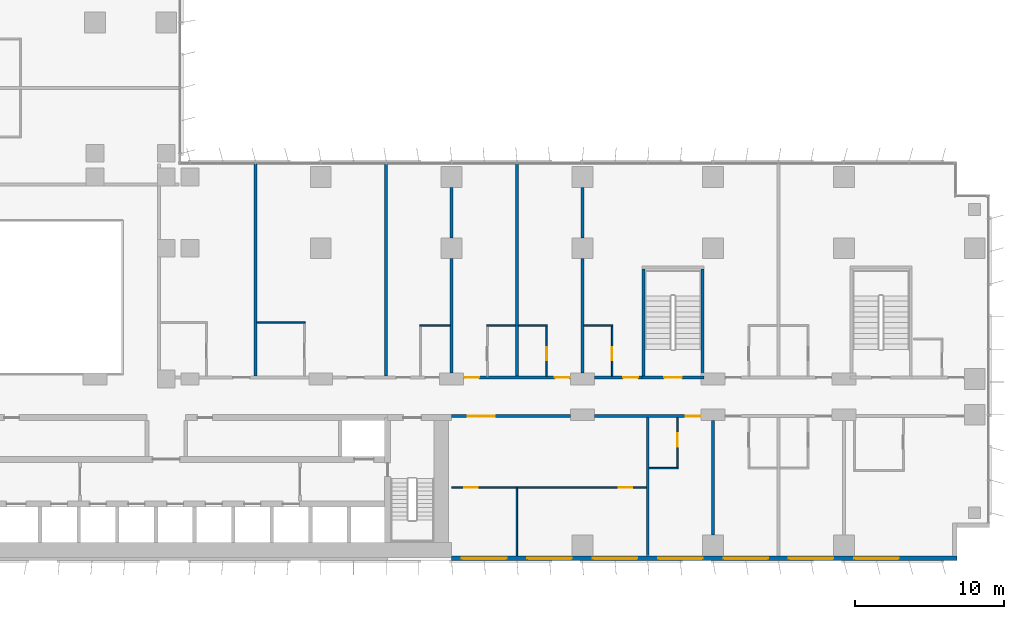
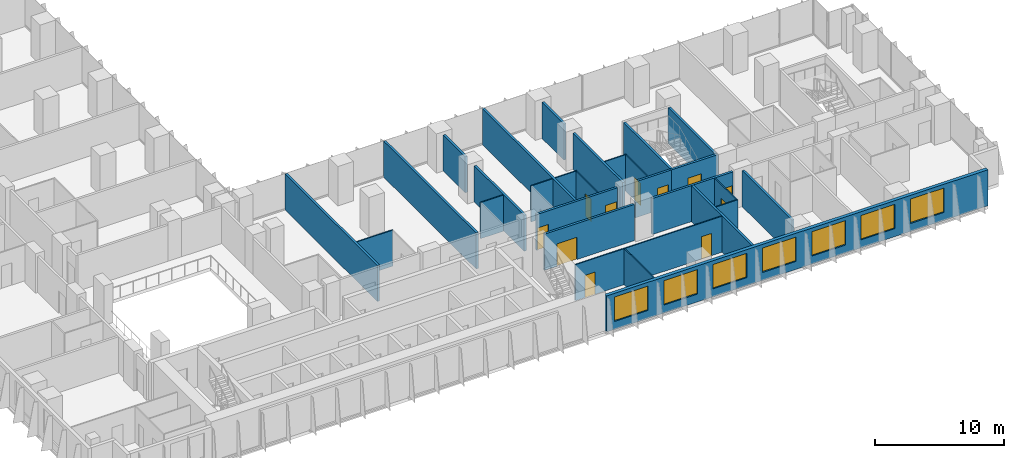
# One storey, part 14 of 24: 28 walls, 11 doors, 7 windows, 18 openings.
"""IFC4 building model written with IfcOpenShell, lengths in metres."""

from ifc_helpers import new_model, si_unit, direction, frame, frame_2d, origin, place, context, subcontext, project, spatial, rectangle, extrude, material, layer, layer_set, type_object, element, fill, save


model = new_model("IFC4")

# Units and contexts
model_context = context("Model", 3, precision=1e-05, world=origin(), true_north=direction((0.0, 1.0)))
body_context = subcontext(model_context, "Body", "Model", "MODEL_VIEW")
ifc_project = project(units=[si_unit("LENGTHUNIT", "METRE"), si_unit("AREAUNIT", "SQUARE_METRE"), si_unit("VOLUMEUNIT", "CUBIC_METRE"), si_unit("PLANEANGLEUNIT", "RADIAN"), si_unit("MASSUNIT", "GRAM", prefix="KILO")], contexts=[model_context])

# Site, building, storey
site_placement = place(None, origin())
site = spatial("IfcSite", under=ifc_project, at=site_placement, CompositionType="ELEMENT")
building_placement = place(site_placement, origin())
building = spatial("IfcBuilding", under=site, at=building_placement, Name="Kemantara Hotel Tower", CompositionType="ELEMENT")
storey_placement = place(building_placement, frame((0.0, 0.0, 52.5)))
storey = spatial("IfcBuildingStorey", under=building, at=storey_placement, Name="L11", CompositionType="ELEMENT", Elevation=52.5)

# Wall, openings, windows
ifc_material_1 = material(Name="Bronze anodised aluminium cladding on insulated steel stud wall", Category="steel")
ifc_layer_1 = layer(ifc_material_1, 0.300048828125)
ifc_layer_set_1 = layer_set([ifc_layer_1], Name="Bronze anodised aluminium cladding on insulated steel stud wall")
wall_type_1 = type_object("IfcWallType", Name="BRONZE METAL-CLAD EXTERNAL WALL 300", PredefinedType="STANDARD", material=ifc_layer_set_1)
wall_1_placement = place(storey_placement, frame((45.0, 0.14990234375, 0.0), z_axis=(0.0, 0.0, 1.0), x_axis=(1.0, 0.0, 0.0)))
wall_1 = element("IfcWall", 1, at=wall_1_placement, inside=storey, type_object=wall_type_1, Name="EXTERNAL WALL L11 T1-R01-3", PredefinedType="STANDARD", context=body_context, shape_type="SweptSolid", body=[
    extrude(rectangle(XDim=34.0, YDim=0.300048828125, at=frame_2d((17.0, 0.0))), origin(), (0.0, 0.0, 1.0), 3.39990234375),
])
opening_1_placement = place(wall_1_placement, frame((0.699951171875, 0.0, 0.75)))
opening_1 = element("IfcOpeningElement", 2, at=opening_1_placement, cuts=wall_1, Name="Opening W1", PredefinedType="OPENING", context=body_context, shape_type="SweptSolid", body=[
    extrude(rectangle(XDim=3.0, YDim=2.300048828125, at=frame_2d((1.5, 1.14990234375))), frame((0.0, 0.159912109375, 0.0), z_axis=(0.0, -1.0, 0.0), x_axis=(1.0, 0.0, 0.0)), (0.0, 0.0, 1.0), 0.320068359375),
])
opening_2_placement = place(wall_1_placement, frame((5.10009765625, 0.0, 0.75)))
opening_2 = element("IfcOpeningElement", 3, at=opening_2_placement, cuts=wall_1, Name="Opening W1", PredefinedType="OPENING", context=body_context, shape_type="SweptSolid", body=[
    extrude(rectangle(XDim=3.0, YDim=2.300048828125, at=frame_2d((1.5, 1.14990234375))), frame((0.0, 0.159912109375, 0.0), z_axis=(0.0, -1.0, 0.0), x_axis=(1.0, 0.0, 0.0)), (0.0, 0.0, 1.0), 0.320068359375),
])
opening_3_placement = place(wall_1_placement, frame((9.5, 0.0, 0.75)))
opening_3 = element("IfcOpeningElement", 4, at=opening_3_placement, cuts=wall_1, Name="Opening W1", PredefinedType="OPENING", context=body_context, shape_type="SweptSolid", body=[
    extrude(rectangle(XDim=3.0, YDim=2.300048828125, at=frame_2d((1.5, 1.14990234375))), frame((0.0, 0.159912109375, 0.0), z_axis=(0.0, -1.0, 0.0), x_axis=(1.0, 0.0, 0.0)), (0.0, 0.0, 1.0), 0.320068359375),
])
opening_4_placement = place(wall_1_placement, frame((13.89990234375, 0.0, 0.75)))
opening_4 = element("IfcOpeningElement", 5, at=opening_4_placement, cuts=wall_1, Name="Opening W1", PredefinedType="OPENING", context=body_context, shape_type="SweptSolid", body=[
    extrude(rectangle(XDim=3.0, YDim=2.300048828125, at=frame_2d((1.5, 1.14990234375))), frame((0.0, 0.159912109375, 0.0), z_axis=(0.0, -1.0, 0.0), x_axis=(1.0, 0.0, 0.0)), (0.0, 0.0, 1.0), 0.320068359375),
])
opening_5_placement = place(wall_1_placement, frame((18.300048828125, 0.0, 0.75)))
opening_5 = element("IfcOpeningElement", 6, at=opening_5_placement, cuts=wall_1, Name="Opening W1", PredefinedType="OPENING", context=body_context, shape_type="SweptSolid", body=[
    extrude(rectangle(XDim=3.0, YDim=2.300048828125, at=frame_2d((1.5, 1.14990234375))), frame((0.0, 0.159912109375, 0.0), z_axis=(0.0, -1.0, 0.0), x_axis=(1.0, 0.0, 0.0)), (0.0, 0.0, 1.0), 0.320068359375),
])
opening_6_placement = place(wall_1_placement, frame((22.699951171875, 0.0, 0.75)))
opening_6 = element("IfcOpeningElement", 7, at=opening_6_placement, cuts=wall_1, Name="Opening W1", PredefinedType="OPENING", context=body_context, shape_type="SweptSolid", body=[
    extrude(rectangle(XDim=3.0, YDim=2.300048828125, at=frame_2d((1.5, 1.14990234375))), frame((0.0, 0.159912109375, 0.0), z_axis=(0.0, -1.0, 0.0), x_axis=(1.0, 0.0, 0.0)), (0.0, 0.0, 1.0), 0.320068359375),
])
opening_7_placement = place(wall_1_placement, frame((27.10009765625, 0.0, 0.75)))
opening_7 = element("IfcOpeningElement", 8, at=opening_7_placement, cuts=wall_1, Name="Opening W1", PredefinedType="OPENING", context=body_context, shape_type="SweptSolid", body=[
    extrude(rectangle(XDim=3.0, YDim=2.300048828125, at=frame_2d((1.5, 1.14990234375))), frame((0.0, 0.159912109375, 0.0), z_axis=(0.0, -1.0, 0.0), x_axis=(1.0, 0.0, 0.0)), (0.0, 0.0, 1.0), 0.320068359375),
])
ifc_material_2 = material(Name="Low-E tinted double insulated glass in bronze anodised aluminium frame", Category="aluminium")
window_type = type_object("IfcWindowType", Name="CHICAGO WINDOW, TRIPLE PANEL 3000x2300", PartitioningType="TRIPLE_PANEL_VERTICAL", PredefinedType="WINDOW", material=ifc_material_2)
window_1_placement = place(opening_1_placement, origin())
window_1 = element("IfcWindow", 9, at=window_1_placement, inside=storey, type_object=window_type, Name="CHICAGO WINDOW L11 T1-R01-450", OverallHeight=2.300048828125, OverallWidth=3.0, PartitioningType="SINGLE_PANEL", PredefinedType="WINDOW", context=body_context, shape_type="SweptSolid", body=[
    extrude(rectangle(XDim=3.0, YDim=2.300048828125, at=frame_2d((1.5, 1.14990234375))), frame((0.0, 0.030029296875, 0.0), z_axis=(0.0, -1.0, 0.0), x_axis=(1.0, 0.0, 0.0)), (0.0, 0.0, 1.0), 0.06005859375),
])
fill(opening_1, window_1)
window_2_placement = place(opening_2_placement, origin())
window_2 = element("IfcWindow", 10, at=window_2_placement, inside=storey, type_object=window_type, Name="CHICAGO WINDOW L11 T1-R01-494", OverallHeight=2.300048828125, OverallWidth=3.0, PartitioningType="SINGLE_PANEL", PredefinedType="WINDOW", context=body_context, shape_type="SweptSolid", body=[
    extrude(rectangle(XDim=3.0, YDim=2.300048828125, at=frame_2d((1.5, 1.14990234375))), frame((0.0, 0.030029296875, 0.0), z_axis=(0.0, -1.0, 0.0), x_axis=(1.0, 0.0, 0.0)), (0.0, 0.0, 1.0), 0.06005859375),
])
fill(opening_2, window_2)
window_3_placement = place(opening_3_placement, origin())
window_3 = element("IfcWindow", 11, at=window_3_placement, inside=storey, type_object=window_type, Name="CHICAGO WINDOW L11 T1-R01-538", OverallHeight=2.300048828125, OverallWidth=3.0, PartitioningType="SINGLE_PANEL", PredefinedType="WINDOW", context=body_context, shape_type="SweptSolid", body=[
    extrude(rectangle(XDim=3.0, YDim=2.300048828125, at=frame_2d((1.5, 1.14990234375))), frame((0.0, 0.030029296875, 0.0), z_axis=(0.0, -1.0, 0.0), x_axis=(1.0, 0.0, 0.0)), (0.0, 0.0, 1.0), 0.06005859375),
])
fill(opening_3, window_3)
window_4_placement = place(opening_4_placement, origin())
window_4 = element("IfcWindow", 12, at=window_4_placement, inside=storey, type_object=window_type, Name="CHICAGO WINDOW L11 T1-R01-582", OverallHeight=2.300048828125, OverallWidth=3.0, PartitioningType="SINGLE_PANEL", PredefinedType="WINDOW", context=body_context, shape_type="SweptSolid", body=[
    extrude(rectangle(XDim=3.0, YDim=2.300048828125, at=frame_2d((1.5, 1.14990234375))), frame((0.0, 0.030029296875, 0.0), z_axis=(0.0, -1.0, 0.0), x_axis=(1.0, 0.0, 0.0)), (0.0, 0.0, 1.0), 0.06005859375),
])
fill(opening_4, window_4)
window_5_placement = place(opening_5_placement, origin())
window_5 = element("IfcWindow", 13, at=window_5_placement, inside=storey, type_object=window_type, Name="CHICAGO WINDOW L11 T1-R01-626", OverallHeight=2.300048828125, OverallWidth=3.0, PartitioningType="SINGLE_PANEL", PredefinedType="WINDOW", context=body_context, shape_type="SweptSolid", body=[
    extrude(rectangle(XDim=3.0, YDim=2.300048828125, at=frame_2d((1.5, 1.14990234375))), frame((0.0, 0.030029296875, 0.0), z_axis=(0.0, -1.0, 0.0), x_axis=(1.0, 0.0, 0.0)), (0.0, 0.0, 1.0), 0.06005859375),
])
fill(opening_5, window_5)
window_6_placement = place(opening_6_placement, origin())
window_6 = element("IfcWindow", 14, at=window_6_placement, inside=storey, type_object=window_type, Name="CHICAGO WINDOW L11 T1-R01-670", OverallHeight=2.300048828125, OverallWidth=3.0, PartitioningType="SINGLE_PANEL", PredefinedType="WINDOW", context=body_context, shape_type="SweptSolid", body=[
    extrude(rectangle(XDim=3.0, YDim=2.300048828125, at=frame_2d((1.5, 1.14990234375))), frame((0.0, 0.030029296875, 0.0), z_axis=(0.0, -1.0, 0.0), x_axis=(1.0, 0.0, 0.0)), (0.0, 0.0, 1.0), 0.06005859375),
])
fill(opening_6, window_6)
window_7_placement = place(opening_7_placement, origin())
window_7 = element("IfcWindow", 15, at=window_7_placement, inside=storey, type_object=window_type, Name="CHICAGO WINDOW L11 T1-R01-714", OverallHeight=2.300048828125, OverallWidth=3.0, PartitioningType="SINGLE_PANEL", PredefinedType="WINDOW", context=body_context, shape_type="SweptSolid", body=[
    extrude(rectangle(XDim=3.0, YDim=2.300048828125, at=frame_2d((1.5, 1.14990234375))), frame((0.0, 0.030029296875, 0.0), z_axis=(0.0, -1.0, 0.0), x_axis=(1.0, 0.0, 0.0)), (0.0, 0.0, 1.0), 0.06005859375),
])
fill(opening_7, window_7)

# Wall, opening, door
ifc_material_3 = material(Name="Gypsum board partition, steel studs and mineral wool, 200 mm", Category="steel")
ifc_layer_2 = layer(ifc_material_3, 0.199951171875)
ifc_layer_set_2 = layer_set([ifc_layer_2], Name="Gypsum board partition, steel studs and mineral wool, 200 mm")
wall_type_2 = type_object("IfcWallType", Name="CORRIDOR WALL 200", PredefinedType="PARTITIONING", material=ifc_layer_set_2)
wall_2_placement = place(storey_placement, frame((53.0, 9.699951171875, 0.0), z_axis=(0.0, 0.0, 1.0), x_axis=(-1.0, 0.0, 0.0)))
wall_2 = element("IfcWall", 16, at=wall_2_placement, inside=storey, type_object=wall_type_2, Name="CORRIDOR WALL 200 001", PredefinedType="PARTITIONING", context=body_context, shape_type="SweptSolid", body=[
    extrude(rectangle(XDim=8.0, YDim=0.199951171875, at=frame_2d((4.0, 0.0))), origin(), (0.0, 0.0, 1.0), 3.39990234375),
])
opening_8_placement = place(wall_2_placement, frame((5.099853515625, 0.0, 0.0)))
opening_8 = element("IfcOpeningElement", 17, at=opening_8_placement, cuts=wall_2, Name="Opening F03-001", PredefinedType="OPENING", context=body_context, shape_type="SweptSolid", body=[
    extrude(rectangle(XDim=1.800048828125, YDim=2.10009765625, at=frame_2d((0.89990234375, 1.050048828125))), frame((0.0, 0.10986328125, 0.0), z_axis=(0.0, -1.0, 0.0), x_axis=(1.0, 0.0, 0.0)), (0.0, 0.0, 1.0), 0.219970703125),
])
ifc_material_4 = material(Name="Hardwood veneer door leaf with steel frame", Category="steel")
door_type_1 = type_object("IfcDoorType", Name="AMENITY ROOM DOOR 1800 X 2100 FD30S", OperationType="NOTDEFINED", PredefinedType="DOOR", material=ifc_material_4)
door_1_placement = place(opening_8_placement, origin())
door_1 = element("IfcDoor", 18, at=door_1_placement, inside=storey, type_object=door_type_1, Name="AMENITY ROOM DOOR F03-001", OperationType="DOUBLE_DOOR_SINGLE_SWING", OverallHeight=2.10009765625, OverallWidth=1.800048828125, PredefinedType="DOOR", context=body_context, shape_type="SweptSolid", body=[
    extrude(rectangle(XDim=1.800048828125, YDim=2.10009765625, at=frame_2d((0.89990234375, 1.050048828125))), frame((0.0, 0.02490234375, 0.0), z_axis=(0.0, -1.0, 0.0), x_axis=(1.0, 0.0, 0.0)), (0.0, 0.0, 1.0), 0.050048828125),
])
fill(opening_8, door_1)

wall_3_placement = place(storey_placement, frame((61.7998046875, 9.699951171875, 0.0), z_axis=(0.0, 0.0, 1.0), x_axis=(-1.0, 0.0, 0.0)))
wall_3 = element("IfcWall", 19, at=wall_3_placement, inside=storey, type_object=wall_type_2, Name="CORRIDOR WALL 200 002", PredefinedType="PARTITIONING", context=body_context, shape_type="SweptSolid", body=[
    extrude(rectangle(XDim=7.19970703125, YDim=0.199951171875, at=frame_2d((3.599853515625, 0.0))), origin(), (0.0, 0.0, 1.0), 3.39990234375),
])
opening_9_placement = place(wall_3_placement, frame((0.0498046875, 0.0, 0.0)))
opening_9 = element("IfcOpeningElement", 20, at=opening_9_placement, cuts=wall_3, Name="Opening F03-004", PredefinedType="OPENING", context=body_context, shape_type="SweptSolid", body=[
    extrude(rectangle(XDim=1.0, YDim=2.10009765625, at=frame_2d((0.5, 1.050048828125))), frame((0.0, 0.10986328125, 0.0), z_axis=(0.0, -1.0, 0.0), x_axis=(1.0, 0.0, 0.0)), (0.0, 0.0, 1.0), 0.219970703125),
])
door_type_2 = type_object("IfcDoorType", Name="GUEST ROOM DOOR 1000 X 2100 FD30S", OperationType="NOTDEFINED", PredefinedType="DOOR", material=ifc_material_4)
door_2_placement = place(opening_9_placement, origin())
door_2 = element("IfcDoor", 21, at=door_2_placement, inside=storey, type_object=door_type_2, Name="GUEST ROOM DOOR F03-004", OperationType="SINGLE_SWING_LEFT", OverallHeight=2.10009765625, OverallWidth=1.0, PredefinedType="DOOR", context=body_context, shape_type="SweptSolid", body=[
    extrude(rectangle(XDim=1.0, YDim=2.10009765625, at=frame_2d((0.5, 1.050048828125))), frame((0.0, 0.02490234375, 0.0), z_axis=(0.0, -1.0, 0.0), x_axis=(1.0, 0.0, 0.0)), (0.0, 0.0, 1.0), 0.050048828125),
])
fill(opening_9, door_2)

# Wall, openings, doors
wall_4_placement = place(storey_placement, frame((45.800048828125, 12.300048828125, 0.0), z_axis=(0.0, 0.0, 1.0), x_axis=(1.0, 0.0, 0.0)))
wall_4 = element("IfcWall", 22, at=wall_4_placement, inside=storey, type_object=wall_type_2, Name="CORRIDOR WALL 200 013", PredefinedType="PARTITIONING", context=body_context, shape_type="SweptSolid", body=[
    extrude(rectangle(XDim=7.199951171875, YDim=0.199951171875, at=frame_2d((3.60009765625, 0.0))), origin(), (0.0, 0.0, 1.0), 3.39990234375),
])
opening_10_placement = place(wall_4_placement, frame((0.0498046875, 0.0, 0.0)))
opening_10 = element("IfcOpeningElement", 23, at=opening_10_placement, cuts=wall_4, Name="Opening F03-018", PredefinedType="OPENING", context=body_context, shape_type="SweptSolid", body=[
    extrude(rectangle(XDim=1.0, YDim=2.10009765625, at=frame_2d((0.5, 1.050048828125))), frame((0.0, 0.10986328125, 0.0), z_axis=(0.0, -1.0, 0.0), x_axis=(1.0, 0.0, 0.0)), (0.0, 0.0, 1.0), 0.219970703125),
])
opening_11_placement = place(wall_4_placement, frame((6.14990234375, 0.0, 0.0)))
opening_11 = element("IfcOpeningElement", 24, at=opening_11_placement, cuts=wall_4, Name="Opening F03-020", PredefinedType="OPENING", context=body_context, shape_type="SweptSolid", body=[
    extrude(rectangle(XDim=1.0, YDim=2.10009765625, at=frame_2d((0.5, 1.050048828125))), frame((0.0, 0.10986328125, 0.0), z_axis=(0.0, -1.0, 0.0), x_axis=(1.0, 0.0, 0.0)), (0.0, 0.0, 1.0), 0.219970703125),
])
door_3_placement = place(opening_10_placement, origin())
door_3 = element("IfcDoor", 25, at=door_3_placement, inside=storey, type_object=door_type_2, Name="GUEST ROOM DOOR F03-018", OperationType="SINGLE_SWING_LEFT", OverallHeight=2.10009765625, OverallWidth=1.0, PredefinedType="DOOR", context=body_context, shape_type="SweptSolid", body=[
    extrude(rectangle(XDim=1.0, YDim=2.10009765625, at=frame_2d((0.5, 1.050048828125))), frame((0.0, 0.02490234375, 0.0), z_axis=(0.0, -1.0, 0.0), x_axis=(1.0, 0.0, 0.0)), (0.0, 0.0, 1.0), 0.050048828125),
])
fill(opening_10, door_3)
door_4_placement = place(opening_11_placement, origin())
door_4 = element("IfcDoor", 26, at=door_4_placement, inside=storey, type_object=door_type_2, Name="GUEST ROOM DOOR F03-020", OperationType="SINGLE_SWING_RIGHT", OverallHeight=2.10009765625, OverallWidth=1.0, PredefinedType="DOOR", context=body_context, shape_type="SweptSolid", body=[
    extrude(rectangle(XDim=1.0, YDim=2.10009765625, at=frame_2d((0.5, 1.050048828125))), frame((0.0, 0.02490234375, 0.0), z_axis=(0.0, -1.0, 0.0), x_axis=(1.0, 0.0, 0.0)), (0.0, 0.0, 1.0), 0.050048828125),
])
fill(opening_11, door_4)

# Wall, opening, door
wall_5_placement = place(storey_placement, frame((54.60009765625, 12.300048828125, 0.0), z_axis=(0.0, 0.0, 1.0), x_axis=(1.0, 0.0, 0.0)))
wall_5 = element("IfcWall", 27, at=wall_5_placement, inside=storey, type_object=wall_type_2, Name="CORRIDOR WALL 200 014", PredefinedType="PARTITIONING", context=body_context, shape_type="SweptSolid", body=[
    extrude(rectangle(XDim=3.199951171875, YDim=0.199951171875, at=frame_2d((1.60009765625, 0.0))), origin(), (0.0, 0.0, 1.0), 3.39990234375),
])
opening_12_placement = place(wall_5_placement, frame((1.949951171875, 0.0, 0.0)))
opening_12 = element("IfcOpeningElement", 28, at=opening_12_placement, cuts=wall_5, Name="Opening F03-022", PredefinedType="OPENING", context=body_context, shape_type="SweptSolid", body=[
    extrude(rectangle(XDim=1.0, YDim=2.10009765625, at=frame_2d((0.5, 1.050048828125))), frame((0.0, 0.10986328125, 0.0), z_axis=(0.0, -1.0, 0.0), x_axis=(1.0, 0.0, 0.0)), (0.0, 0.0, 1.0), 0.219970703125),
])
door_5_placement = place(opening_12_placement, origin())
door_5 = element("IfcDoor", 29, at=door_5_placement, inside=storey, type_object=door_type_2, Name="GUEST ROOM DOOR F03-022", OperationType="SINGLE_SWING_RIGHT", OverallHeight=2.10009765625, OverallWidth=1.0, PredefinedType="DOOR", context=body_context, shape_type="SweptSolid", body=[
    extrude(rectangle(XDim=1.0, YDim=2.10009765625, at=frame_2d((0.5, 1.050048828125))), frame((0.0, 0.02490234375, 0.0), z_axis=(0.0, -1.0, 0.0), x_axis=(1.0, 0.0, 0.0)), (0.0, 0.0, 1.0), 0.050048828125),
])
fill(opening_12, door_5)

ifc_material_5 = material(Name="Concrete fc 40 MPa", Category="concrete")
ifc_layer_3 = layer(ifc_material_5, 0.199951171875)
ifc_layer_set_3 = layer_set([ifc_layer_3], Name="Concrete fc 40 MPa")
wall_type_3 = type_object("IfcWallType", Name="Concrete stair wall 200 mm", PredefinedType="SHEAR", material=ifc_layer_set_3)
wall_6_placement = place(storey_placement, frame((57.800048828125, 12.300048828125, 0.0), z_axis=(0.0, 0.0, 1.0), x_axis=(1.0, 0.0, 0.0)))
wall_6 = element("IfcWall", 30, at=wall_6_placement, inside=storey, type_object=wall_type_3, Name="Stair ST3 enclosure wall with door", PredefinedType="SHEAR", context=body_context, shape_type="SweptSolid", body=[
    extrude(rectangle(XDim=4.199951171875, YDim=0.199951171875, at=frame_2d((2.10009765625, 0.0))), origin(), (0.0, 0.0, 1.0), 3.39990234375),
])
opening_13_placement = place(wall_6_placement, frame((1.5, 0.0, 0.0)))
opening_13 = element("IfcOpeningElement", 31, at=opening_13_placement, cuts=wall_6, Name="Opening ST3-C", PredefinedType="OPENING", context=body_context, shape_type="SweptSolid", body=[
    extrude(rectangle(XDim=1.199951171875, YDim=2.10009765625, at=frame_2d((0.60009765625, 1.050048828125))), frame((0.0, 0.10986328125, 0.0), z_axis=(0.0, -1.0, 0.0), x_axis=(1.0, 0.0, 0.0)), (0.0, 0.0, 1.0), 0.219970703125),
])
ifc_material_6 = material(Name="Steel fire door", Category="steel")
door_type_3 = type_object("IfcDoorType", Name="Fire door FD90 1200 x 2100", OperationType="NOTDEFINED", PredefinedType="DOOR", material=ifc_material_6)
door_6_placement = place(opening_13_placement, origin())
door_6 = element("IfcDoor", 32, at=door_6_placement, inside=storey, type_object=door_type_3, Name="Stair ST3 door", OperationType="SINGLE_SWING_RIGHT", OverallHeight=2.10009765625, OverallWidth=1.199951171875, PredefinedType="DOOR", context=body_context, shape_type="SweptSolid", body=[
    extrude(rectangle(XDim=1.199951171875, YDim=2.10009765625, at=frame_2d((0.60009765625, 1.050048828125))), frame((0.0, 0.02490234375, 0.0), z_axis=(0.0, -1.0, 0.0), x_axis=(1.0, 0.0, 0.0)), (0.0, 0.0, 1.0), 0.050048828125),
])
fill(opening_13, door_6)

# Walls
for number, where, z_axis, x_axis, name in (
    (33, (57.89990234375, 12.39990234375, 0.0), (0.0, 0.0, 1.0), (0.0, 1.0, 0.0), "Stair ST3 enclosure wall W"),
    (34, (61.89990234375, 12.39990234375, 0.0), (0.0, 0.0, 1.0), (0.0, 1.0, 0.0), "Stair ST3 enclosure wall E"),
):
    element("IfcWall", number, at=place(storey_placement, frame(where, z_axis=z_axis, x_axis=x_axis)), inside=storey, type_object=wall_type_3, Name=name, PredefinedType="SHEAR", context=body_context, shape_type="SweptSolid", body=[
        extrude(rectangle(XDim=7.2001953125, YDim=0.199951171875, at=frame_2d((3.60009765625, 0.0))), origin(), (0.0, 0.0, 1.0), 3.39990234375),
    ])
ifc_layer_4 = layer(ifc_material_3, 0.199951171875)
ifc_layer_set_4 = layer_set([ifc_layer_4], Name="Gypsum board partition, steel studs and mineral wool, 200 mm")
wall_type_4 = type_object("IfcWallType", Name="GUEST ROOM PARTY WALL 200", PredefinedType="PARTITIONING", material=ifc_layer_set_4)
wall_7_placement = place(storey_placement, frame((58.199951171875, 0.31005859375, 0.0), z_axis=(0.0, 0.0, 1.0), x_axis=(0.0, 1.0, 0.0)))
element("IfcWall", 35, at=wall_7_placement, inside=storey, type_object=wall_type_4, Name="GUEST ROOM PARTY WALL 200 005", PredefinedType="PARTITIONING", context=body_context, shape_type="SweptSolid", body=[
    extrude(rectangle(XDim=9.2900390625, YDim=0.199951171875, at=frame_2d((4.64501953125, 0.0))), origin(), (0.0, 0.0, 1.0), 3.39990234375),
])
wall_8_placement = place(storey_placement, frame((62.60009765625, 1.7001953125, 0.0), z_axis=(0.0, 0.0, 1.0), x_axis=(0.0, 1.0, 0.0)))
element("IfcWall", 36, at=wall_8_placement, inside=storey, type_object=wall_type_4, Name="GUEST ROOM PARTY WALL 200 006", PredefinedType="PARTITIONING", context=body_context, shape_type="SweptSolid", body=[
    extrude(rectangle(XDim=7.69970703125, YDim=0.199951171875, at=frame_2d((3.849853515625, 0.0))), origin(), (0.0, 0.0, 1.0), 3.39990234375),
])
for number, where, z_axis, x_axis, name in (
    (37, (31.800048828125, 12.39990234375, 0.0), (0.0, 0.0, 1.0), (0.0, 1.0, 0.0), "GUEST ROOM PARTY WALL 200 020"),
    (38, (40.60009765625, 12.39990234375, 0.0), (0.0, 0.0, 1.0), (0.0, 1.0, 0.0), "GUEST ROOM PARTY WALL 200 021"),
):
    element("IfcWall", number, at=place(storey_placement, frame(where, z_axis=z_axis, x_axis=x_axis)), inside=storey, type_object=wall_type_4, Name=name, PredefinedType="PARTITIONING", context=body_context, shape_type="SweptSolid", body=[
        extrude(rectangle(XDim=14.27001953125, YDim=0.199951171875, at=frame_2d((7.135009765625, 0.0))), origin(), (0.0, 0.0, 1.0), 3.39990234375),
    ])
wall_9_placement = place(storey_placement, frame((45.0, 12.60009765625, 0.0), z_axis=(0.0, 0.0, 1.0), x_axis=(0.0, 1.0, 0.0)))
element("IfcWall", 39, at=wall_9_placement, inside=storey, type_object=wall_type_4, Name="GUEST ROOM PARTY WALL 200 022", PredefinedType="PARTITIONING", context=body_context, shape_type="SweptSolid", body=[
    extrude(rectangle(XDim=7.69970703125, YDim=0.199951171875, at=frame_2d((3.849853515625, 0.0))), origin(), (0.0, 0.0, 1.0), 3.39990234375),
])
wall_10_placement = place(storey_placement, frame((45.0, 21.7001953125, 0.0), z_axis=(0.0, 0.0, 1.0), x_axis=(0.0, 1.0, 0.0)))
element("IfcWall", 40, at=wall_10_placement, inside=storey, type_object=wall_type_4, Name="GUEST ROOM PARTY WALL 200 023", PredefinedType="PARTITIONING", context=body_context, shape_type="SweptSolid", body=[
    extrude(rectangle(XDim=3.399658203125, YDim=0.199951171875, at=frame_2d((1.69970703125, 0.0))), origin(), (0.0, 0.0, 1.0), 3.39990234375),
])
wall_11_placement = place(storey_placement, frame((49.39990234375, 12.39990234375, 0.0), z_axis=(0.0, 0.0, 1.0), x_axis=(0.0, 1.0, 0.0)))
element("IfcWall", 41, at=wall_11_placement, inside=storey, type_object=wall_type_4, Name="GUEST ROOM PARTY WALL 200 024", PredefinedType="PARTITIONING", context=body_context, shape_type="SweptSolid", body=[
    extrude(rectangle(XDim=14.27001953125, YDim=0.199951171875, at=frame_2d((7.135009765625, 0.0))), origin(), (0.0, 0.0, 1.0), 3.39990234375),
])
wall_12_placement = place(storey_placement, frame((53.800048828125, 12.60009765625, 0.0), z_axis=(0.0, 0.0, 1.0), x_axis=(0.0, 1.0, 0.0)))
element("IfcWall", 42, at=wall_12_placement, inside=storey, type_object=wall_type_4, Name="GUEST ROOM PARTY WALL 200 025", PredefinedType="PARTITIONING", context=body_context, shape_type="SweptSolid", body=[
    extrude(rectangle(XDim=7.69970703125, YDim=0.199951171875, at=frame_2d((3.849853515625, 0.0))), origin(), (0.0, 0.0, 1.0), 3.39990234375),
])
wall_13_placement = place(storey_placement, frame((53.800048828125, 21.7001953125, 0.0), z_axis=(0.0, 0.0, 1.0), x_axis=(0.0, 1.0, 0.0)))
element("IfcWall", 43, at=wall_13_placement, inside=storey, type_object=wall_type_4, Name="GUEST ROOM PARTY WALL 200 026", PredefinedType="PARTITIONING", context=body_context, shape_type="SweptSolid", body=[
    extrude(rectangle(XDim=3.399658203125, YDim=0.199951171875, at=frame_2d((1.69970703125, 0.0))), origin(), (0.0, 0.0, 1.0), 3.39990234375),
])

# Wall, openings, doors
ifc_material_7 = material(Name="Gypsum board partition on steel studs, 100 mm", Category="steel")
ifc_layer_5 = layer(ifc_material_7, 0.10009765625)
ifc_layer_set_5 = layer_set([ifc_layer_5], Name="Gypsum board partition on steel studs, 100 mm")
wall_type_5 = type_object("IfcWallType", Name="ROOM PARTITION 100", PredefinedType="PARTITIONING", material=ifc_layer_set_5)
wall_14_placement = place(storey_placement, frame((58.10009765625, 4.89990234375, 0.0), z_axis=(0.0, 0.0, 1.0), x_axis=(-1.0, 0.0, 0.0)))
wall_14 = element("IfcWall", 44, at=wall_14_placement, inside=storey, type_object=wall_type_5, Name="ROOM PARTITION 100 062", PredefinedType="PARTITIONING", context=body_context, shape_type="SweptSolid", body=[
    extrude(rectangle(XDim=13.10009765625, YDim=0.10009765625, at=frame_2d((6.550048828125, 0.0))), origin(), (0.0, 0.0, 1.0), 3.39990234375),
])
opening_14_placement = place(wall_14_placement, frame((11.35009765625, 0.0, 0.0)))
opening_14 = element("IfcOpeningElement", 45, at=opening_14_placement, cuts=wall_14, Name="Opening F03-002", PredefinedType="OPENING", context=body_context, shape_type="SweptSolid", body=[
    extrude(rectangle(XDim=0.89990234375, YDim=2.10009765625, at=frame_2d((0.449951171875, 1.050048828125))), frame((0.0, 0.06005859375, 0.0), z_axis=(0.0, -1.0, 0.0), x_axis=(1.0, 0.0, 0.0)), (0.0, 0.0, 1.0), 0.1201171875),
])
opening_15_placement = place(wall_14_placement, frame((0.949951171875, 0.0, 0.0)))
opening_15 = element("IfcOpeningElement", 46, at=opening_15_placement, cuts=wall_14, Name="Opening F03-003", PredefinedType="OPENING", context=body_context, shape_type="SweptSolid", body=[
    extrude(rectangle(XDim=0.89990234375, YDim=2.10009765625, at=frame_2d((0.449951171875, 1.050048828125))), frame((0.0, 0.06005859375, 0.0), z_axis=(0.0, -1.0, 0.0), x_axis=(1.0, 0.0, 0.0)), (0.0, 0.0, 1.0), 0.1201171875),
])
door_type_4 = type_object("IfcDoorType", Name="INTERNAL DOOR 900 X 2100", OperationType="NOTDEFINED", PredefinedType="DOOR", material=ifc_material_4)
door_7_placement = place(opening_14_placement, origin())
door_7 = element("IfcDoor", 47, at=door_7_placement, inside=storey, type_object=door_type_4, Name="INTERNAL DOOR F03-002", OperationType="SINGLE_SWING_RIGHT", OverallHeight=2.10009765625, OverallWidth=0.89990234375, PredefinedType="DOOR", context=body_context, shape_type="SweptSolid", body=[
    extrude(rectangle(XDim=0.89990234375, YDim=2.10009765625, at=frame_2d((0.449951171875, 1.050048828125))), frame((0.0, 0.02490234375, 0.0), z_axis=(0.0, -1.0, 0.0), x_axis=(1.0, 0.0, 0.0)), (0.0, 0.0, 1.0), 0.050048828125),
])
fill(opening_14, door_7)
door_8_placement = place(opening_15_placement, origin())
door_8 = element("IfcDoor", 48, at=door_8_placement, inside=storey, type_object=door_type_4, Name="INTERNAL DOOR F03-003", OperationType="SINGLE_SWING_LEFT", OverallHeight=2.10009765625, OverallWidth=0.89990234375, PredefinedType="DOOR", context=body_context, shape_type="SweptSolid", body=[
    extrude(rectangle(XDim=0.89990234375, YDim=2.10009765625, at=frame_2d((0.449951171875, 1.050048828125))), frame((0.0, 0.02490234375, 0.0), z_axis=(0.0, -1.0, 0.0), x_axis=(1.0, 0.0, 0.0)), (0.0, 0.0, 1.0), 0.050048828125),
])
fill(opening_15, door_8)

# Walls
wall_15_placement = place(storey_placement, frame((49.39990234375, 0.31005859375, 0.0), z_axis=(0.0, 0.0, 1.0), x_axis=(0.0, 1.0, 0.0)))
element("IfcWall", 49, at=wall_15_placement, inside=storey, type_object=wall_type_5, Name="ROOM PARTITION 100 063", PredefinedType="PARTITIONING", context=body_context, shape_type="SweptSolid", body=[
    extrude(rectangle(XDim=4.5400390625, YDim=0.10009765625, at=frame_2d((2.27001953125, 0.0))), origin(), (0.0, 0.0, 1.0), 3.39990234375),
])
wall_16_placement = place(storey_placement, frame((58.300048828125, 6.199951171875, 0.0), z_axis=(0.0, 0.0, 1.0), x_axis=(1.0, 0.0, 0.0)))
element("IfcWall", 50, at=wall_16_placement, inside=storey, type_object=wall_type_5, Name="ROOM PARTITION 100 064", PredefinedType="PARTITIONING", context=body_context, shape_type="SweptSolid", body=[
    extrude(rectangle(XDim=1.949951171875, YDim=0.10009765625, at=frame_2d((0.97509765625, 0.0))), origin(), (0.0, 0.0, 1.0), 3.39990234375),
])

# Wall, opening, door
wall_17_placement = place(storey_placement, frame((60.199951171875, 6.25, 0.0), z_axis=(0.0, 0.0, 1.0), x_axis=(0.0, 1.0, 0.0)))
wall_17 = element("IfcWall", 51, at=wall_17_placement, inside=storey, type_object=wall_type_5, Name="ROOM PARTITION 100 067", PredefinedType="PARTITIONING", context=body_context, shape_type="SweptSolid", body=[
    extrude(rectangle(XDim=3.35009765625, YDim=0.10009765625, at=frame_2d((1.675048828125, 0.0))), origin(), (0.0, 0.0, 1.0), 3.39990234375),
])
opening_16_placement = place(wall_17_placement, frame((1.39990234375, 0.0, 0.0)))
opening_16 = element("IfcOpeningElement", 52, at=opening_16_placement, cuts=wall_17, Name="Opening F03-005", PredefinedType="OPENING", context=body_context, shape_type="SweptSolid", body=[
    extrude(rectangle(XDim=0.89990234375, YDim=2.10009765625, at=frame_2d((0.449951171875, 1.050048828125))), frame((0.0, 0.06005859375, 0.0), z_axis=(0.0, -1.0, 0.0), x_axis=(1.0, 0.0, 0.0)), (0.0, 0.0, 1.0), 0.1201171875),
])
door_type_5 = type_object("IfcDoorType", Name="BATHROOM DOOR 900 X 2100", OperationType="NOTDEFINED", PredefinedType="DOOR", material=ifc_material_4)
door_9_placement = place(opening_16_placement, origin())
door_9 = element("IfcDoor", 53, at=door_9_placement, inside=storey, type_object=door_type_5, Name="BATHROOM DOOR F03-005", OperationType="SINGLE_SWING_RIGHT", OverallHeight=2.10009765625, OverallWidth=0.89990234375, PredefinedType="DOOR", context=body_context, shape_type="SweptSolid", body=[
    extrude(rectangle(XDim=0.89990234375, YDim=2.10009765625, at=frame_2d((0.449951171875, 1.050048828125))), frame((0.0, 0.02490234375, 0.0), z_axis=(0.0, -1.0, 0.0), x_axis=(1.0, 0.0, 0.0)), (0.0, 0.0, 1.0), 0.050048828125),
])
fill(opening_16, door_9)

# Walls
wall_18_placement = place(storey_placement, frame((31.89990234375, 16.0, 0.0), z_axis=(0.0, 0.0, 1.0), x_axis=(1.0, 0.0, 0.0)))
element("IfcWall", 54, at=wall_18_placement, inside=storey, type_object=wall_type_5, Name="ROOM PARTITION 100 076", PredefinedType="PARTITIONING", context=body_context, shape_type="SweptSolid", body=[
    extrude(rectangle(XDim=3.25, YDim=0.10009765625, at=frame_2d((1.625, 0.0))), origin(), (0.0, 0.0, 1.0), 3.39990234375),
])
wall_19_placement = place(storey_placement, frame((42.85009765625, 15.800048828125, 0.0), z_axis=(0.0, 0.0, 1.0), x_axis=(1.0, 0.0, 0.0)))
element("IfcWall", 55, at=wall_19_placement, inside=storey, type_object=wall_type_5, Name="ROOM PARTITION 100 079", PredefinedType="PARTITIONING", context=body_context, shape_type="SweptSolid", body=[
    extrude(rectangle(XDim=2.0498046875, YDim=0.10009765625, at=frame_2d((1.02490234375, 0.0))), origin(), (0.0, 0.0, 1.0), 3.39990234375),
])
for number, where, z_axis, x_axis, name in (
    (56, (47.35009765625, 15.800048828125, 0.0), (0.0, 0.0, 1.0), (1.0, 0.0, 0.0), "ROOM PARTITION 100 080"),
    (57, (49.5, 15.800048828125, 0.0), (0.0, 0.0, 1.0), (1.0, 0.0, 0.0), "ROOM PARTITION 100 081"),
):
    element("IfcWall", number, at=place(storey_placement, frame(where, z_axis=z_axis, x_axis=x_axis)), inside=storey, type_object=wall_type_5, Name=name, PredefinedType="PARTITIONING", context=body_context, shape_type="SweptSolid", body=[
        extrude(rectangle(XDim=1.949951171875, YDim=0.10009765625, at=frame_2d((0.97509765625, 0.0))), origin(), (0.0, 0.0, 1.0), 3.39990234375),
    ])
wall_20_placement = place(storey_placement, frame((53.89990234375, 15.800048828125, 0.0), z_axis=(0.0, 0.0, 1.0), x_axis=(1.0, 0.0, 0.0)))
element("IfcWall", 58, at=wall_20_placement, inside=storey, type_object=wall_type_5, Name="ROOM PARTITION 100 082", PredefinedType="PARTITIONING", context=body_context, shape_type="SweptSolid", body=[
    extrude(rectangle(XDim=1.9501953125, YDim=0.10009765625, at=frame_2d((0.97509765625, 0.0))), origin(), (0.0, 0.0, 1.0), 3.39990234375),
])

# Wall, opening, door
wall_21_placement = place(storey_placement, frame((51.39990234375, 12.39990234375, 0.0), z_axis=(0.0, 0.0, 1.0), x_axis=(0.0, 1.0, 0.0)))
wall_21 = element("IfcWall", 59, at=wall_21_placement, inside=storey, type_object=wall_type_5, Name="ROOM PARTITION 100 087", PredefinedType="PARTITIONING", context=body_context, shape_type="SweptSolid", body=[
    extrude(rectangle(XDim=3.35009765625, YDim=0.10009765625, at=frame_2d((1.675048828125, 0.0))), origin(), (0.0, 0.0, 1.0), 3.39990234375),
])
opening_17_placement = place(wall_21_placement, frame((1.050048828125, 0.0, 0.0)))
opening_17 = element("IfcOpeningElement", 60, at=opening_17_placement, cuts=wall_21, Name="Opening F03-021", PredefinedType="OPENING", context=body_context, shape_type="SweptSolid", body=[
    extrude(rectangle(XDim=0.89990234375, YDim=2.10009765625, at=frame_2d((0.449951171875, 1.050048828125))), frame((0.0, 0.06005859375, 0.0), z_axis=(0.0, -1.0, 0.0), x_axis=(1.0, 0.0, 0.0)), (0.0, 0.0, 1.0), 0.1201171875),
])
door_10_placement = place(opening_17_placement, origin())
door_10 = element("IfcDoor", 61, at=door_10_placement, inside=storey, type_object=door_type_5, Name="BATHROOM DOOR F03-021", OperationType="SINGLE_SWING_LEFT", OverallHeight=2.10009765625, OverallWidth=0.89990234375, PredefinedType="DOOR", context=body_context, shape_type="SweptSolid", body=[
    extrude(rectangle(XDim=0.89990234375, YDim=2.10009765625, at=frame_2d((0.449951171875, 1.050048828125))), frame((0.0, 0.02490234375, 0.0), z_axis=(0.0, -1.0, 0.0), x_axis=(1.0, 0.0, 0.0)), (0.0, 0.0, 1.0), 0.050048828125),
])
fill(opening_17, door_10)

wall_22_placement = place(storey_placement, frame((55.800048828125, 12.39990234375, 0.0), z_axis=(0.0, 0.0, 1.0), x_axis=(0.0, 1.0, 0.0)))
wall_22 = element("IfcWall", 62, at=wall_22_placement, inside=storey, type_object=wall_type_5, Name="ROOM PARTITION 100 088", PredefinedType="PARTITIONING", context=body_context, shape_type="SweptSolid", body=[
    extrude(rectangle(XDim=3.35009765625, YDim=0.10009765625, at=frame_2d((1.675048828125, 0.0))), origin(), (0.0, 0.0, 1.0), 3.39990234375),
])
opening_18_placement = place(wall_22_placement, frame((1.050048828125, 0.0, 0.0)))
opening_18 = element("IfcOpeningElement", 63, at=opening_18_placement, cuts=wall_22, Name="Opening F03-023", PredefinedType="OPENING", context=body_context, shape_type="SweptSolid", body=[
    extrude(rectangle(XDim=0.89990234375, YDim=2.10009765625, at=frame_2d((0.449951171875, 1.050048828125))), frame((0.0, 0.06005859375, 0.0), z_axis=(0.0, -1.0, 0.0), x_axis=(1.0, 0.0, 0.0)), (0.0, 0.0, 1.0), 0.1201171875),
])
door_11_placement = place(opening_18_placement, origin())
door_11 = element("IfcDoor", 64, at=door_11_placement, inside=storey, type_object=door_type_5, Name="BATHROOM DOOR F03-023", OperationType="SINGLE_SWING_LEFT", OverallHeight=2.10009765625, OverallWidth=0.89990234375, PredefinedType="DOOR", context=body_context, shape_type="SweptSolid", body=[
    extrude(rectangle(XDim=0.89990234375, YDim=2.10009765625, at=frame_2d((0.449951171875, 1.050048828125))), frame((0.0, 0.02490234375, 0.0), z_axis=(0.0, -1.0, 0.0), x_axis=(1.0, 0.0, 0.0)), (0.0, 0.0, 1.0), 0.050048828125),
])
fill(opening_18, door_11)

save(model, "model.ifc")
